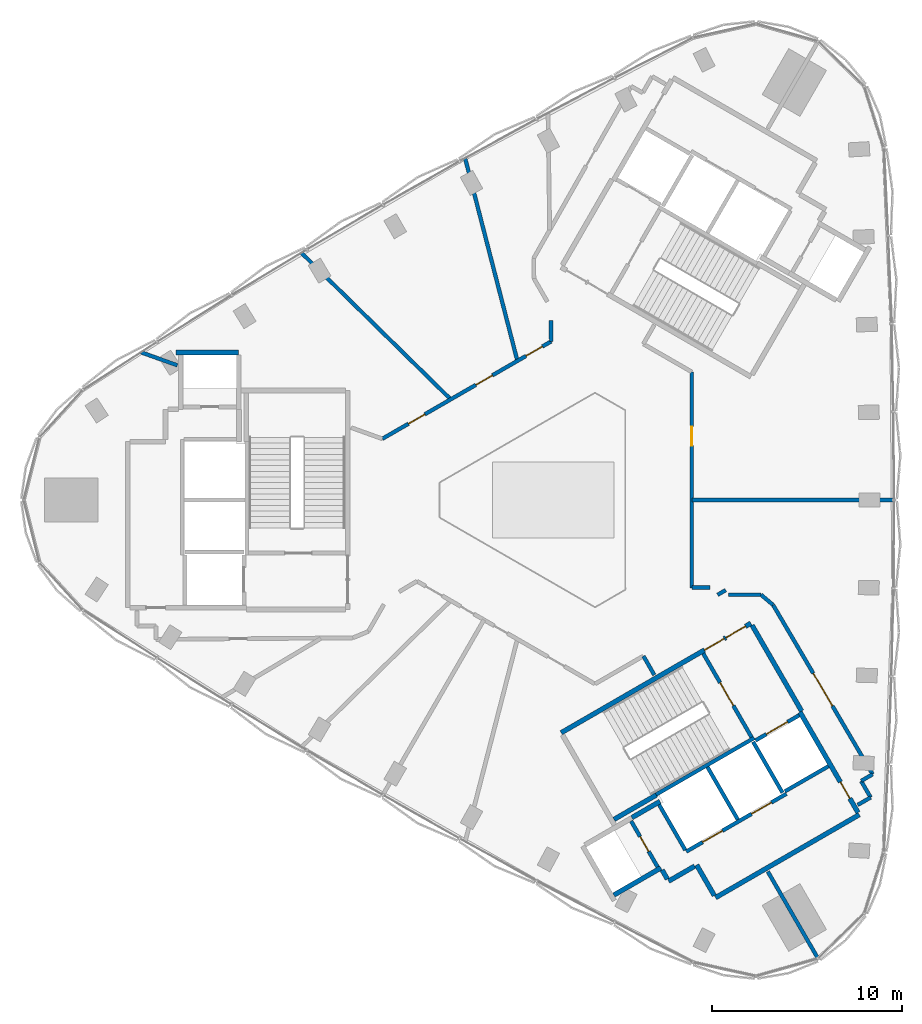
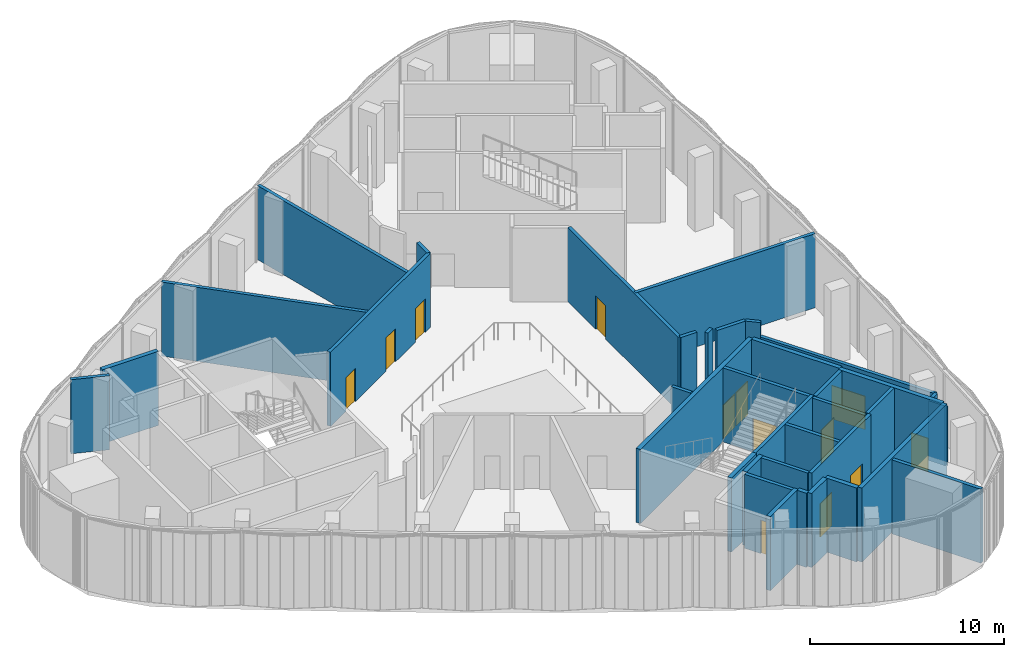
# One storey, part 8 of 15: 37 walls, 13 doors, 13 openings.
"""IFC4 building model written with IfcOpenShell, lengths in metres."""

from ifc_helpers import new_model, si_unit, direction, frame, frame_2d, origin, place, context, subcontext, project, spatial, rectangle, extrude, material, layer, layer_set, type_object, element, fill, save


model = new_model("IFC4")

# Units and contexts
model_context = context("Model", 3, precision=1e-05, world=origin(), true_north=direction((0.0, 1.0)))
body_context = subcontext(model_context, "Body", "Model", "MODEL_VIEW")
ifc_project = project(units=[si_unit("LENGTHUNIT", "METRE"), si_unit("AREAUNIT", "SQUARE_METRE"), si_unit("VOLUMEUNIT", "CUBIC_METRE"), si_unit("PLANEANGLEUNIT", "RADIAN"), si_unit("MASSUNIT", "GRAM", prefix="KILO")], contexts=[model_context])

# Site, building, storey
site_placement = place(None, origin())
site = spatial("IfcSite", under=ifc_project, at=site_placement, CompositionType="ELEMENT")
building_placement = place(site_placement, origin())
building = spatial("IfcBuilding", under=site, at=building_placement, Name="Tamra Quay Hotel Tower", CompositionType="ELEMENT")
storey_placement = place(building_placement, frame((0.0, 0.0, 216.39990234375)))
storey = spatial("IfcBuildingStorey", under=building, at=storey_placement, Name="L54", CompositionType="ELEMENT", Elevation=216.39990234375)

# Wall
ifc_material_1 = material(Name="Concrete M70", Category="concrete")
ifc_layer_1 = layer(ifc_material_1, 0.199951171875)
ifc_layer_set_1 = layer_set([ifc_layer_1], Name="Concrete M70 core wall 200")
wall_type_1 = type_object("IfcWallType", Name="Concrete M70 core wall 200", PredefinedType="SHEAR", material=ifc_layer_set_1)
wall_1_placement = place(storey_placement, frame((5.4189453125, -15.533935546875, 0.0), z_axis=(0.0, 0.0, 1.0), x_axis=(0.866029065029, 0.499993658486, 0.0)))
element("IfcWall", 1, at=wall_1_placement, inside=storey, type_object=wall_type_1, Name="CW2", PredefinedType="SHEAR", context=body_context, shape_type="SweptSolid", body=[
    extrude(rectangle(XDim=5.97412109375, YDim=0.199951171875, at=frame_2d((2.987060546875, 0.0))), origin(), (0.0, 0.0, 1.0), 4.650146484375),
])

# Wall, openings, doors
wall_2_placement = place(storey_placement, frame((7.009765625, -18.54150390625, 0.0), z_axis=(0.0, 0.0, 1.0), x_axis=(0.866030299012, 0.499991521122, 0.0)))
wall_2 = element("IfcWall", 2, at=wall_2_placement, inside=storey, type_object=wall_type_1, Name="CW2", PredefinedType="SHEAR", context=body_context, shape_type="SweptSolid", body=[
    extrude(rectangle(XDim=6.10009765625, YDim=0.199951171875, at=frame_2d((3.050048828125, 0.0))), origin(), (0.0, 0.0, 1.0), 4.650146484375),
])
opening_1_placement = place(wall_2_placement, frame((1.0, 0.0, 0.0)))
opening_1 = element("IfcOpeningElement", 3, at=opening_1_placement, cuts=wall_2, Name="Opening LD", PredefinedType="OPENING", context=body_context, shape_type="SweptSolid", body=[
    extrude(rectangle(XDim=1.199951171875, YDim=2.10009765625, at=frame_2d((0.60009765625, 1.050048828125))), frame((0.0, 0.10986328125, 0.0), z_axis=(0.0, -1.0, 0.0), x_axis=(1.0, 0.0, 0.0)), (0.0, 0.0, 1.0), 0.219970703125),
])
opening_2_placement = place(wall_2_placement, frame((3.982177734375, 0.0, 0.0)))
opening_2 = element("IfcOpeningElement", 4, at=opening_2_placement, cuts=wall_2, Name="Opening LD", PredefinedType="OPENING", context=body_context, shape_type="SweptSolid", body=[
    extrude(rectangle(XDim=1.199951171875, YDim=2.10009765625, at=frame_2d((0.60009765625, 1.050048828125))), frame((0.0, 0.10986328125, 0.0), z_axis=(0.0, -1.0, 0.0), x_axis=(1.0, 0.0, 0.0)), (0.0, 0.0, 1.0), 0.219970703125),
])
ifc_material_2 = material(Name="Landing door LD 1200 double door sliding")
door_type_1 = type_object("IfcDoorType", Name="Landing door LD 1200 double door sliding", OperationType="DOUBLE_DOOR_SLIDING", PredefinedType="DOOR", material=ifc_material_2)
door_1_placement = place(opening_1_placement, origin())
door_1 = element("IfcDoor", 5, at=door_1_placement, inside=storey, type_object=door_type_1, Name="LD", OperationType="DOUBLE_DOOR_SLIDING", OverallHeight=2.10009765625, OverallWidth=1.199951171875, PredefinedType="DOOR", context=body_context, shape_type="SweptSolid", body=[
    extrude(rectangle(XDim=1.199951171875, YDim=2.10009765625, at=frame_2d((0.60009765625, 1.050048828125))), frame((0.0, 0.02490234375, 0.0), z_axis=(0.0, -1.0, 0.0), x_axis=(1.0, 0.0, 0.0)), (0.0, 0.0, 1.0), 0.050048828125),
])
fill(opening_1, door_1)
door_2_placement = place(opening_2_placement, origin())
door_2 = element("IfcDoor", 6, at=door_2_placement, inside=storey, type_object=door_type_1, Name="LD", OperationType="DOUBLE_DOOR_SLIDING", OverallHeight=2.10009765625, OverallWidth=1.199951171875, PredefinedType="DOOR", context=body_context, shape_type="SweptSolid", body=[
    extrude(rectangle(XDim=1.199951171875, YDim=2.10009765625, at=frame_2d((0.60009765625, 1.050048828125))), frame((0.0, 0.02490234375, 0.0), z_axis=(0.0, -1.0, 0.0), x_axis=(1.0, 0.0, 0.0)), (0.0, 0.0, 1.0), 0.050048828125),
])
fill(opening_2, door_2)

# Wall, opening, door
wall_3_placement = place(storey_placement, frame((7.906494140625, -8.094482421875, 0.0), z_axis=(0.0, 0.0, 1.0), x_axis=(0.500027839223, -0.866009330205, 0.0)))
wall_3 = element("IfcWall", 7, at=wall_3_placement, inside=storey, type_object=wall_type_1, Name="CW2", PredefinedType="SHEAR", context=body_context, shape_type="SweptSolid", body=[
    extrude(rectangle(XDim=5.097900390625, YDim=0.199951171875, at=frame_2d((2.548828125, 0.0))), origin(), (0.0, 0.0, 1.0), 4.650146484375),
])
opening_3_placement = place(wall_3_placement, frame((1.77392578125, 0.0, 0.0)))
opening_3 = element("IfcOpeningElement", 8, at=opening_3_placement, cuts=wall_3, Name="Opening FD2", PredefinedType="OPENING", context=body_context, shape_type="SweptSolid", body=[
    extrude(rectangle(XDim=1.39990234375, YDim=2.10009765625, at=frame_2d((0.699951171875, 1.050048828125))), frame((0.0, 0.10986328125, 0.0), z_axis=(0.0, -1.0, 0.0), x_axis=(1.0, 0.0, 0.0)), (0.0, 0.0, 1.0), 0.219970703125),
])
ifc_material_3 = material(Name="Core door FD2 1400x2100 LH")
door_type_2 = type_object("IfcDoorType", Name="Core door FD2 1400x2100 LH", OperationType="NOTDEFINED", PredefinedType="DOOR", material=ifc_material_3)
door_3_placement = place(opening_3_placement, origin())
door_3 = element("IfcDoor", 9, at=door_3_placement, inside=storey, type_object=door_type_2, Name="FD2", OperationType="SINGLE_SWING_LEFT", OverallHeight=2.10009765625, OverallWidth=1.39990234375, PredefinedType="DOOR", context=body_context, shape_type="SweptSolid", body=[
    extrude(rectangle(XDim=1.39990234375, YDim=2.10009765625, at=frame_2d((0.699951171875, 1.050048828125))), frame((0.0, 0.02490234375, 0.0), z_axis=(0.0, -1.0, 0.0), x_axis=(1.0, 0.0, 0.0)), (0.0, 0.0, 1.0), 0.050048828125),
])
fill(opening_3, door_3)

# Wall
wall_4_placement = place(storey_placement, frame((8.131591796875, -14.084228515625, 0.0), z_axis=(0.0, 0.0, 1.0), x_axis=(0.499997778408, -0.866026686418, 0.0)))
element("IfcWall", 10, at=wall_4_placement, inside=storey, type_object=wall_type_1, Name="CW2", PredefinedType="SHEAR", context=body_context, shape_type="SweptSolid", body=[
    extrude(rectangle(XDim=3.1982421875, YDim=0.199951171875, at=frame_2d((1.59912109375, 0.0))), origin(), (0.0, 0.0, 1.0), 4.650146484375),
])

# Wall, opening, door
wall_5_placement = place(storey_placement, frame((5.50341796875, -19.352294921875, 0.0), z_axis=(0.0, 0.0, 1.0), x_axis=(-0.499986818241, 0.866033014143, 0.0)))
wall_5 = element("IfcWall", 11, at=wall_5_placement, inside=storey, type_object=wall_type_1, Name="CW2", PredefinedType="SHEAR", context=body_context, shape_type="SweptSolid", body=[
    extrude(rectangle(XDim=2.7978515625, YDim=0.199951171875, at=frame_2d((1.39892578125, 0.0))), origin(), (0.0, 0.0, 1.0), 4.650146484375),
])
opening_4_placement = place(wall_5_placement, frame((0.948974609375, 0.0, 0.0)))
opening_4 = element("IfcOpeningElement", 12, at=opening_4_placement, cuts=wall_5, Name="Opening D1", PredefinedType="OPENING", context=body_context, shape_type="SweptSolid", body=[
    extrude(rectangle(XDim=0.89990234375, YDim=2.10009765625, at=frame_2d((0.449951171875, 1.050048828125))), frame((0.0, 0.10986328125, 0.0), z_axis=(0.0, -1.0, 0.0), x_axis=(1.0, 0.0, 0.0)), (0.0, 0.0, 1.0), 0.219970703125),
])
ifc_material_4 = material(Name="Core door D1 900x2100 RH")
door_type_3 = type_object("IfcDoorType", Name="Core door D1 900x2100 RH", OperationType="NOTDEFINED", PredefinedType="DOOR", material=ifc_material_4)
door_4_placement = place(opening_4_placement, origin())
door_4 = element("IfcDoor", 13, at=door_4_placement, inside=storey, type_object=door_type_3, Name="D1", OperationType="SINGLE_SWING_RIGHT", OverallHeight=2.10009765625, OverallWidth=0.89990234375, PredefinedType="DOOR", context=body_context, shape_type="SweptSolid", body=[
    extrude(rectangle(XDim=0.89990234375, YDim=2.10009765625, at=frame_2d((0.449951171875, 1.050048828125))), frame((0.0, 0.02490234375, 0.0), z_axis=(0.0, -1.0, 0.0), x_axis=(1.0, 0.0, 0.0)), (0.0, 0.0, 1.0), 0.050048828125),
])
fill(opening_4, door_4)

# Walls
wall_6_placement = place(storey_placement, frame((6.959716796875, -18.455078125, 0.0), z_axis=(0.0, 0.0, 1.0), x_axis=(-0.499926705758, 0.866067716099, 0.0)))
element("IfcWall", 14, at=wall_6_placement, inside=storey, type_object=wall_type_1, Name="CW2", PredefinedType="SHEAR", context=body_context, shape_type="SweptSolid", body=[
    extrude(rectangle(XDim=2.75927734375, YDim=0.199951171875, at=frame_2d((1.379638671875, 0.0))), origin(), (0.0, 0.0, 1.0), 4.650146484375),
])
wall_7_placement = place(storey_placement, frame((12.087646484375, -15.4365234375, 0.0), z_axis=(0.0, 0.0, 1.0), x_axis=(-0.500026960575, 0.86600983753, 0.0)))
element("IfcWall", 15, at=wall_7_placement, inside=storey, type_object=wall_type_1, Name="CW2", PredefinedType="SHEAR", context=body_context, shape_type="SweptSolid", body=[
    extrude(rectangle(XDim=3.099853515625, YDim=0.199951171875, at=frame_2d((1.5498046875, 0.0))), origin(), (0.0, 0.0, 1.0), 4.650146484375),
])

# Wall, opening, door
wall_8_placement = place(storey_placement, frame((10.666015625, -12.677734375, 0.0), z_axis=(0.0, 0.0, 1.0), x_axis=(0.866018407898, 0.500012117035, 0.0)))
wall_8 = element("IfcWall", 16, at=wall_8_placement, inside=storey, type_object=wall_type_1, Name="CW2", PredefinedType="SHEAR", context=body_context, shape_type="SweptSolid", body=[
    extrude(rectangle(XDim=2.65087890625, YDim=0.199951171875, at=frame_2d((1.325439453125, 0.0))), origin(), (0.0, 0.0, 1.0), 4.650146484375),
])
opening_5_placement = place(wall_8_placement, frame((0.65185546875, 0.0, 0.0)))
opening_5 = element("IfcOpeningElement", 17, at=opening_5_placement, cuts=wall_8, Name="Opening LD", PredefinedType="OPENING", context=body_context, shape_type="SweptSolid", body=[
    extrude(rectangle(XDim=1.300048828125, YDim=2.10009765625, at=frame_2d((0.64990234375, 1.050048828125))), frame((0.0, 0.10986328125, 0.0), z_axis=(0.0, -1.0, 0.0), x_axis=(1.0, 0.0, 0.0)), (0.0, 0.0, 1.0), 0.219970703125),
])
ifc_material_5 = material(Name="Landing door LD 1300 sliding to left")
door_type_4 = type_object("IfcDoorType", Name="Landing door LD 1300 sliding to left", OperationType="NOTDEFINED", PredefinedType="DOOR", material=ifc_material_5)
door_5_placement = place(opening_5_placement, origin())
door_5 = element("IfcDoor", 18, at=door_5_placement, inside=storey, type_object=door_type_4, Name="LD", OperationType="SLIDING_TO_LEFT", OverallHeight=2.10009765625, OverallWidth=1.300048828125, PredefinedType="DOOR", context=body_context, shape_type="SweptSolid", body=[
    extrude(rectangle(XDim=1.300048828125, YDim=2.10009765625, at=frame_2d((0.64990234375, 1.050048828125))), frame((0.0, 0.02490234375, 0.0), z_axis=(0.0, -1.0, 0.0), x_axis=(1.0, 0.0, 0.0)), (0.0, 0.0, 1.0), 0.050048828125),
])
fill(opening_5, door_5)

# Walls
wall_9_placement = place(storey_placement, frame((14.51171875, -14.037109375, 0.0), z_axis=(0.0, 0.0, 1.0), x_axis=(-0.866018407898, -0.500012117035, 0.0)))
element("IfcWall", 19, at=wall_9_placement, inside=storey, type_object=wall_type_1, Name="CW2", PredefinedType="SHEAR", context=body_context, shape_type="SweptSolid", body=[
    extrude(rectangle(XDim=2.65087890625, YDim=0.199951171875, at=frame_2d((1.325439453125, 0.0))), origin(), (0.0, 0.0, 1.0), 4.650146484375),
])
ifc_layer_2 = layer(ifc_material_1, 0.25)
ifc_layer_set_2 = layer_set([ifc_layer_2], Name="Concrete M70 core wall 250")
wall_type_2 = type_object("IfcWallType", Name="Concrete M70 core wall 250", PredefinedType="SHEAR", material=ifc_layer_set_2)
wall_10_placement = place(storey_placement, frame((-19.900390625, 7.77490234375, 0.0), z_axis=(0.0, 0.0, 1.0), x_axis=(1.0, 0.0, 0.0)))
element("IfcWall", 20, at=wall_10_placement, inside=storey, type_object=wall_type_2, Name="CW1", PredefinedType="SHEAR", context=body_context, shape_type="SweptSolid", body=[
    extrude(rectangle(XDim=3.31298828125, YDim=0.25, at=frame_2d((1.656494140625, 0.0))), origin(), (0.0, 0.0, 1.0), 4.650146484375),
])

# Wall, openings, doors
wall_11_placement = place(storey_placement, frame((0.417236328125, -12.27294921875, 0.0), z_axis=(0.0, 0.0, 1.0), x_axis=(0.866021906294, 0.500006057782, 0.0)))
wall_11 = element("IfcWall", 21, at=wall_11_placement, inside=storey, type_object=wall_type_2, Name="CW1", PredefinedType="SHEAR", context=body_context, shape_type="SweptSolid", body=[
    extrude(rectangle(XDim=11.550048828125, YDim=0.25, at=frame_2d((5.77490234375, 0.0))), origin(), (0.0, 0.0, 1.0), 4.650146484375),
])
opening_6_placement = place(wall_11_placement, frame((10.024658203125, 0.0, 0.0)))
opening_6 = element("IfcOpeningElement", 22, at=opening_6_placement, cuts=wall_11, Name="Opening FD1", PredefinedType="OPENING", context=body_context, shape_type="SweptSolid", body=[
    extrude(rectangle(XDim=1.199951171875, YDim=2.10009765625, at=frame_2d((0.60009765625, 1.050048828125))), frame((0.0, 0.135009765625, 0.0), z_axis=(0.0, -1.0, 0.0), x_axis=(1.0, 0.0, 0.0)), (0.0, 0.0, 1.0), 0.27001953125),
])
opening_7_placement = place(wall_11_placement, frame((8.724609375, 0.0, 0.0)))
opening_7 = element("IfcOpeningElement", 23, at=opening_7_placement, cuts=wall_11, Name="Opening FD1", PredefinedType="OPENING", context=body_context, shape_type="SweptSolid", body=[
    extrude(rectangle(XDim=1.199951171875, YDim=2.10009765625, at=frame_2d((0.60009765625, 1.050048828125))), frame((0.0, 0.135009765625, 0.0), z_axis=(0.0, -1.0, 0.0), x_axis=(1.0, 0.0, 0.0)), (0.0, 0.0, 1.0), 0.27001953125),
])
ifc_material_6 = material(Name="Core door FD1 1200x2100 LH")
door_type_5 = type_object("IfcDoorType", Name="Core door FD1 1200x2100 LH", OperationType="NOTDEFINED", PredefinedType="DOOR", material=ifc_material_6)
door_6_placement = place(opening_6_placement, origin())
door_6 = element("IfcDoor", 24, at=door_6_placement, inside=storey, type_object=door_type_5, Name="FD1", OperationType="SINGLE_SWING_LEFT", OverallHeight=2.10009765625, OverallWidth=1.199951171875, PredefinedType="DOOR", context=body_context, shape_type="SweptSolid", body=[
    extrude(rectangle(XDim=1.199951171875, YDim=2.10009765625, at=frame_2d((0.60009765625, 1.050048828125))), frame((0.0, 0.02490234375, 0.0), z_axis=(0.0, -1.0, 0.0), x_axis=(1.0, 0.0, 0.0)), (0.0, 0.0, 1.0), 0.050048828125),
])
fill(opening_6, door_6)
ifc_material_7 = material(Name="Core door FD1 1200x2100 RH")
door_type_6 = type_object("IfcDoorType", Name="Core door FD1 1200x2100 RH", OperationType="NOTDEFINED", PredefinedType="DOOR", material=ifc_material_7)
door_7_placement = place(opening_7_placement, origin())
door_7 = element("IfcDoor", 25, at=door_7_placement, inside=storey, type_object=door_type_6, Name="FD1", OperationType="SINGLE_SWING_RIGHT", OverallHeight=2.10009765625, OverallWidth=1.199951171875, PredefinedType="DOOR", context=body_context, shape_type="SweptSolid", body=[
    extrude(rectangle(XDim=1.199951171875, YDim=2.10009765625, at=frame_2d((0.60009765625, 1.050048828125))), frame((0.0, 0.02490234375, 0.0), z_axis=(0.0, -1.0, 0.0), x_axis=(1.0, 0.0, 0.0)), (0.0, 0.0, 1.0), 0.050048828125),
])
fill(opening_7, door_7)

# Wall
wall_12_placement = place(storey_placement, frame((16.13330078125, -16.59375, 0.0), z_axis=(0.0, 0.0, 1.0), x_axis=(-0.866022959057, -0.500004234368, 0.0)))
element("IfcWall", 26, at=wall_12_placement, inside=storey, type_object=wall_type_2, Name="CW1", PredefinedType="SHEAR", context=body_context, shape_type="SweptSolid", body=[
    extrude(rectangle(XDim=8.75, YDim=0.25, at=frame_2d((4.375, 0.0))), origin(), (0.0, 0.0, 1.0), 4.650146484375),
])

# Wall, opening, door
wall_13_placement = place(storey_placement, frame((13.00830078125, -11.18115234375, 0.0), z_axis=(0.0, 0.0, 1.0), x_axis=(0.500001955336, -0.866024274868, 0.0)))
wall_13 = element("IfcWall", 27, at=wall_13_placement, inside=storey, type_object=wall_type_2, Name="CW1", PredefinedType="SHEAR", context=body_context, shape_type="SweptSolid", body=[
    extrude(rectangle(XDim=6.12451171875, YDim=0.25, at=frame_2d((3.062255859375, 0.0))), origin(), (0.0, 0.0, 1.0), 4.650146484375),
])
opening_8_placement = place(wall_13_placement, frame((4.2626953125, 0.0, 0.0)))
opening_8 = element("IfcOpeningElement", 28, at=opening_8_placement, cuts=wall_13, Name="Opening FD3", PredefinedType="OPENING", context=body_context, shape_type="SweptSolid", body=[
    extrude(rectangle(XDim=1.0, YDim=2.10009765625, at=frame_2d((0.5, 1.050048828125))), frame((0.0, 0.135009765625, 0.0), z_axis=(0.0, -1.0, 0.0), x_axis=(1.0, 0.0, 0.0)), (0.0, 0.0, 1.0), 0.27001953125),
])
ifc_material_8 = material(Name="Core door FD3 1000x2100 LH")
door_type_7 = type_object("IfcDoorType", Name="Core door FD3 1000x2100 LH", OperationType="NOTDEFINED", PredefinedType="DOOR", material=ifc_material_8)
door_8_placement = place(opening_8_placement, origin())
door_8 = element("IfcDoor", 29, at=door_8_placement, inside=storey, type_object=door_type_7, Name="FD3", OperationType="SINGLE_SWING_LEFT", OverallHeight=2.10009765625, OverallWidth=1.0, PredefinedType="DOOR", context=body_context, shape_type="SweptSolid", body=[
    extrude(rectangle(XDim=1.0, YDim=2.10009765625, at=frame_2d((0.5, 1.050048828125))), frame((0.0, 0.02490234375, 0.0), z_axis=(0.0, -1.0, 0.0), x_axis=(1.0, 0.0, 0.0)), (0.0, 0.0, 1.0), 0.050048828125),
])
fill(opening_8, door_8)

# Walls
wall_14_placement = place(storey_placement, frame((10.482666015625, -6.6064453125, 0.0), z_axis=(0.0, 0.0, 1.0), x_axis=(0.49999885962, -0.866026062182, 0.0)))
element("IfcWall", 30, at=wall_14_placement, inside=storey, type_object=wall_type_2, Name="CW1", PredefinedType="SHEAR", context=body_context, shape_type="SweptSolid", body=[
    extrude(rectangle(XDim=5.224609375, YDim=0.25, at=frame_2d((2.6123046875, 0.0))), origin(), (0.0, 0.0, 1.0), 4.650146484375),
])
wall_15_placement = place(storey_placement, frame((5.6748046875, -19.39892578125, 0.0), z_axis=(0.0, 0.0, 1.0), x_axis=(-0.866026637627, -0.499997862916, 0.0)))
element("IfcWall", 31, at=wall_15_placement, inside=storey, type_object=wall_type_2, Name="CW1", PredefinedType="SHEAR", context=body_context, shape_type="SweptSolid", body=[
    extrude(rectangle(XDim=2.86474609375, YDim=0.25, at=frame_2d((1.432373046875, 0.0))), origin(), (0.0, 0.0, 1.0), 4.650146484375),
])
wall_16_placement = place(storey_placement, frame((5.4306640625, -15.55615234375, 0.0), z_axis=(0.0, 0.0, 1.0), x_axis=(-0.866022940537, -0.500004266446, 0.0)))
element("IfcWall", 32, at=wall_16_placement, inside=storey, type_object=wall_type_2, Name="CW1", PredefinedType="SHEAR", context=body_context, shape_type="SweptSolid", body=[
    extrude(rectangle(XDim=2.57470703125, YDim=0.25, at=frame_2d((1.287353515625, 0.0))), origin(), (0.0, 0.0, 1.0), 4.650146484375),
])
wall_17_placement = place(storey_placement, frame((8.492919921875, -20.860107421875, 0.0), z_axis=(0.0, 0.0, 1.0), x_axis=(-0.500039802285, 0.866002422705, 0.0)))
element("IfcWall", 33, at=wall_17_placement, inside=storey, type_object=wall_type_2, Name="CW1", PredefinedType="SHEAR", context=body_context, shape_type="SweptSolid", body=[
    extrude(rectangle(XDim=1.864501953125, YDim=0.25, at=frame_2d((0.93212890625, 0.0))), origin(), (0.0, 0.0, 1.0), 4.650146484375),
])
wall_18_placement = place(storey_placement, frame((4.144775390625, -16.748779296875, 0.0), z_axis=(0.0, 0.0, 1.0), x_axis=(0.866038183914, 0.499977863513, 0.0)))
element("IfcWall", 34, at=wall_18_placement, inside=storey, type_object=wall_type_2, Name="CW1", PredefinedType="SHEAR", context=body_context, shape_type="SweptSolid", body=[
    extrude(rectangle(XDim=1.7099609375, YDim=0.25, at=frame_2d((0.85498046875, 0.0))), origin(), (0.0, 0.0, 1.0), 4.650146484375),
])
wall_19_placement = place(storey_placement, frame((7.451904296875, -19.30810546875, 0.0), z_axis=(0.0, 0.0, 1.0), x_axis=(-0.866044474677, -0.49996696679, 0.0)))
element("IfcWall", 35, at=wall_19_placement, inside=storey, type_object=wall_type_2, Name="CW1", PredefinedType="SHEAR", context=body_context, shape_type="SweptSolid", body=[
    extrude(rectangle(XDim=1.58447265625, YDim=0.25, at=frame_2d((0.792236328125, 0.0))), origin(), (0.0, 0.0, 1.0), 4.650146484375),
])
wall_20_placement = place(storey_placement, frame((6.01708984375, -19.99169921875, 0.0), z_axis=(0.0, 0.0, 1.0), x_axis=(-0.500364886717, 0.865814633822, 0.0)))
element("IfcWall", 36, at=wall_20_placement, inside=storey, type_object=wall_type_2, Name="CW1", PredefinedType="SHEAR", context=body_context, shape_type="SweptSolid", body=[
    extrude(rectangle(XDim=0.55908203125, YDim=0.25, at=frame_2d((0.279541015625, 0.0))), origin(), (0.0, 0.0, 1.0), 4.650146484375),
])

# Wall, openings, doors
ifc_material_9 = material(Name="Partition corridor wall")
ifc_layer_3 = layer(ifc_material_9, 0.199951171875)
ifc_layer_set_3 = layer_set([ifc_layer_3], Name="Partition corridor wall")
wall_type_3 = type_object("IfcWallType", Name="Partition corridor wall", PredefinedType="PARTITIONING", material=ifc_layer_set_3)
wall_21_placement = place(storey_placement, frame((-9.01220703125, 3.227783203125, 0.0), z_axis=(0.0, 0.0, 1.0), x_axis=(0.866203386391, 0.499691598294, 0.0)))
wall_21 = element("IfcWall", 37, at=wall_21_placement, inside=storey, type_object=wall_type_3, Name="W-C", PredefinedType="PARTITIONING", context=body_context, shape_type="SweptSolid", body=[
    extrude(rectangle(XDim=10.27490234375, YDim=0.199951171875, at=frame_2d((5.137451171875, 0.0))), origin(), (0.0, 0.0, 1.0), 4.650146484375),
])
opening_9_placement = place(wall_21_placement, frame((8.7421875, 0.0, 0.0)))
opening_9 = element("IfcOpeningElement", 38, at=opening_9_placement, cuts=wall_21, Name="Opening L54-D003", PredefinedType="OPENING", context=body_context, shape_type="SweptSolid", body=[
    extrude(rectangle(XDim=1.0, YDim=2.10009765625, at=frame_2d((0.5, 1.050048828125))), frame((0.0, 0.10986328125, 0.0), z_axis=(0.0, -1.0, 0.0), x_axis=(1.0, 0.0, 0.0)), (0.0, 0.0, 1.0), 0.219970703125),
])
opening_10_placement = place(wall_21_placement, frame((5.689697265625, 0.0, 0.0)))
opening_10 = element("IfcOpeningElement", 39, at=opening_10_placement, cuts=wall_21, Name="Opening L54-D004", PredefinedType="OPENING", context=body_context, shape_type="SweptSolid", body=[
    extrude(rectangle(XDim=1.0, YDim=2.10009765625, at=frame_2d((0.5, 1.050048828125))), frame((0.0, 0.10986328125, 0.0), z_axis=(0.0, -1.0, 0.0), x_axis=(1.0, 0.0, 0.0)), (0.0, 0.0, 1.0), 0.219970703125),
])
opening_11_placement = place(wall_21_placement, frame((1.585205078125, 0.0, 0.0)))
opening_11 = element("IfcOpeningElement", 40, at=opening_11_placement, cuts=wall_21, Name="Opening L54-D005", PredefinedType="OPENING", context=body_context, shape_type="SweptSolid", body=[
    extrude(rectangle(XDim=1.0, YDim=2.10009765625, at=frame_2d((0.5, 1.050048828125))), frame((0.0, 0.10986328125, 0.0), z_axis=(0.0, -1.0, 0.0), x_axis=(1.0, 0.0, 0.0)), (0.0, 0.0, 1.0), 0.219970703125),
])
ifc_material_10 = material(Name="Door guest room 1000x2100")
door_type_8 = type_object("IfcDoorType", Name="Door guest room 1000x2100", OperationType="NOTDEFINED", PredefinedType="DOOR", material=ifc_material_10)
door_9_placement = place(opening_9_placement, origin())
door_9 = element("IfcDoor", 41, at=door_9_placement, inside=storey, type_object=door_type_8, Name="L54-D003", OperationType="SINGLE_SWING_LEFT", OverallHeight=2.10009765625, OverallWidth=1.0, PredefinedType="DOOR", context=body_context, shape_type="SweptSolid", body=[
    extrude(rectangle(XDim=1.0, YDim=2.10009765625, at=frame_2d((0.5, 1.050048828125))), frame((0.0, 0.02490234375, 0.0), z_axis=(0.0, -1.0, 0.0), x_axis=(1.0, 0.0, 0.0)), (0.0, 0.0, 1.0), 0.050048828125),
])
fill(opening_9, door_9)
door_10_placement = place(opening_10_placement, origin())
door_10 = element("IfcDoor", 42, at=door_10_placement, inside=storey, type_object=door_type_8, Name="L54-D004", OperationType="SINGLE_SWING_LEFT", OverallHeight=2.10009765625, OverallWidth=1.0, PredefinedType="DOOR", context=body_context, shape_type="SweptSolid", body=[
    extrude(rectangle(XDim=1.0, YDim=2.10009765625, at=frame_2d((0.5, 1.050048828125))), frame((0.0, 0.02490234375, 0.0), z_axis=(0.0, -1.0, 0.0), x_axis=(1.0, 0.0, 0.0)), (0.0, 0.0, 1.0), 0.050048828125),
])
fill(opening_10, door_10)
door_11_placement = place(opening_11_placement, origin())
door_11 = element("IfcDoor", 43, at=door_11_placement, inside=storey, type_object=door_type_8, Name="L54-D005", OperationType="SINGLE_SWING_LEFT", OverallHeight=2.10009765625, OverallWidth=1.0, PredefinedType="DOOR", context=body_context, shape_type="SweptSolid", body=[
    extrude(rectangle(XDim=1.0, YDim=2.10009765625, at=frame_2d((0.5, 1.050048828125))), frame((0.0, 0.02490234375, 0.0), z_axis=(0.0, -1.0, 0.0), x_axis=(1.0, 0.0, 0.0)), (0.0, 0.0, 1.0), 0.050048828125),
])
fill(opening_11, door_11)

# Walls
wall_22_placement = place(storey_placement, frame((-0.1259765625, 9.45703125, 0.0), z_axis=(0.0, 0.0, 1.0), x_axis=(0.013672785902, -0.999906523094, 0.0)))
element("IfcWall", 44, at=wall_22_placement, inside=storey, type_object=wall_type_3, Name="W-C", PredefinedType="PARTITIONING", context=body_context, shape_type="SweptSolid", body=[
    extrude(rectangle(XDim=1.089111328125, YDim=0.199951171875, at=frame_2d((0.54443359375, 0.0))), origin(), (0.0, 0.0, 1.0), 4.650146484375),
])
wall_23_placement = place(storey_placement, frame((4.7548828125, -8.22998046875, 0.0), z_axis=(0.0, 0.0, 1.0), x_axis=(0.498954759956, -0.866628032963, 0.0)))
element("IfcWall", 45, at=wall_23_placement, inside=storey, type_object=wall_type_3, Name="W-C", PredefinedType="PARTITIONING", context=body_context, shape_type="SweptSolid", body=[
    extrude(rectangle(XDim=1.1474609375, YDim=0.199951171875, at=frame_2d((0.57373046875, 0.0))), origin(), (0.0, 0.0, 1.0), 4.650146484375),
])

# Wall, opening, door
wall_24_placement = place(storey_placement, frame((7.300048828125, -4.631103515625, 0.0), z_axis=(0.0, 0.0, 1.0), x_axis=(0.0, 1.0, 0.0)))
wall_24 = element("IfcWall", 46, at=wall_24_placement, inside=storey, type_object=wall_type_3, Name="W-C", PredefinedType="PARTITIONING", context=body_context, shape_type="SweptSolid", body=[
    extrude(rectangle(XDim=11.385986328125, YDim=0.199951171875, at=frame_2d((5.69287109375, 0.0))), origin(), (0.0, 0.0, 1.0), 4.650146484375),
])
opening_12_placement = place(wall_24_placement, frame((7.50244140625, 0.0, 0.0)))
opening_12 = element("IfcOpeningElement", 47, at=opening_12_placement, cuts=wall_24, Name="Opening L54-D001", PredefinedType="OPENING", context=body_context, shape_type="SweptSolid", body=[
    extrude(rectangle(XDim=1.0, YDim=2.10009765625, at=frame_2d((0.5, 1.050048828125))), frame((0.0, 0.10986328125, 0.0), z_axis=(0.0, -1.0, 0.0), x_axis=(1.0, 0.0, 0.0)), (0.0, 0.0, 1.0), 0.219970703125),
])
door_12_placement = place(opening_12_placement, frame((1.0, 0.0, 0.0), z_axis=(0.0, 0.0, 1.0), x_axis=(-1.0, 0.0, 0.0)))
door_12 = element("IfcDoor", 48, at=door_12_placement, inside=storey, type_object=door_type_8, Name="L54-D001", OperationType="SINGLE_SWING_LEFT", OverallHeight=2.10009765625, OverallWidth=1.0, PredefinedType="DOOR", context=body_context, shape_type="SweptSolid", body=[
    extrude(rectangle(XDim=1.0, YDim=2.10009765625, at=frame_2d((0.5, 1.050048828125))), frame((0.0, 0.02490234375, 0.0), z_axis=(0.0, -1.0, 0.0), x_axis=(1.0, 0.0, 0.0)), (0.0, 0.0, 1.0), 0.050048828125),
])
fill(opening_12, door_12)

# Walls
wall_25_placement = place(storey_placement, frame((7.31005859375, -4.62109375, 0.0), z_axis=(0.0, 0.0, 1.0), x_axis=(1.0, 0.0, 0.0)))
element("IfcWall", 49, at=wall_25_placement, inside=storey, type_object=wall_type_3, Name="W-C", PredefinedType="PARTITIONING", context=body_context, shape_type="SweptSolid", body=[
    extrude(rectangle(XDim=0.9580078125, YDim=0.199951171875, at=frame_2d((0.47900390625, 0.0))), origin(), (0.0, 0.0, 1.0), 4.650146484375),
])
wall_26_placement = place(storey_placement, frame((8.6640625, -5.0, 0.0), z_axis=(0.0, 0.0, 1.0), x_axis=(0.865684789836, 0.500589497139, 0.0)))
element("IfcWall", 50, at=wall_26_placement, inside=storey, type_object=wall_type_3, Name="W-C", PredefinedType="PARTITIONING", context=body_context, shape_type="SweptSolid", body=[
    extrude(rectangle(XDim=0.49560546875, YDim=0.199951171875, at=frame_2d((0.247802734375, 0.0))), origin(), (0.0, 0.0, 1.0), 4.650146484375),
])
wall_27_placement = place(storey_placement, frame((9.239013671875, -5.0, 0.0), z_axis=(0.0, 0.0, 1.0), x_axis=(1.0, 0.0, 0.0)))
element("IfcWall", 51, at=wall_27_placement, inside=storey, type_object=wall_type_3, Name="W-C", PredefinedType="PARTITIONING", context=body_context, shape_type="SweptSolid", body=[
    extrude(rectangle(XDim=1.719970703125, YDim=0.199951171875, at=frame_2d((0.85986328125, 0.0))), origin(), (0.0, 0.0, 1.0), 4.650146484375),
])
wall_28_placement = place(storey_placement, frame((10.958984375, -5.0, 0.0), z_axis=(0.0, 0.0, 1.0), x_axis=(0.762495818899, -0.646993142283, 0.0)))
element("IfcWall", 52, at=wall_28_placement, inside=storey, type_object=wall_type_3, Name="W-C", PredefinedType="PARTITIONING", context=body_context, shape_type="SweptSolid", body=[
    extrude(rectangle(XDim=0.822265625, YDim=0.199951171875, at=frame_2d((0.4111328125, 0.0))), origin(), (0.0, 0.0, 1.0), 4.650146484375),
])

# Wall, opening, door
wall_29_placement = place(storey_placement, frame((11.592041015625, -5.5380859375, 0.0), z_axis=(0.0, 0.0, 1.0), x_axis=(0.506701587767, -0.86212151171, 0.0)))
wall_29 = element("IfcWall", 53, at=wall_29_placement, inside=storey, type_object=wall_type_3, Name="W-C", PredefinedType="PARTITIONING", context=body_context, shape_type="SweptSolid", body=[
    extrude(rectangle(XDim=10.35107421875, YDim=0.199951171875, at=frame_2d((5.175537109375, 0.0))), origin(), (0.0, 0.0, 1.0), 3.75),
])
opening_13_placement = place(wall_29_placement, frame((4.175537109375, 0.0, 0.0)))
opening_13 = element("IfcOpeningElement", 54, at=opening_13_placement, cuts=wall_29, Name="Opening L54-D011", PredefinedType="OPENING", context=body_context, shape_type="SweptSolid", body=[
    extrude(rectangle(XDim=2.0, YDim=2.10009765625, at=frame_2d((1.0, 1.050048828125))), frame((0.0, 0.10986328125, 0.0), z_axis=(0.0, -1.0, 0.0), x_axis=(1.0, 0.0, 0.0)), (0.0, 0.0, 1.0), 0.219970703125),
])
ifc_material_11 = material(Name="Door double leaf 2000x2100")
door_type_9 = type_object("IfcDoorType", Name="Door double leaf 2000x2100", OperationType="DOUBLE_DOOR_SINGLE_SWING", PredefinedType="DOOR", material=ifc_material_11)
door_13_placement = place(opening_13_placement, origin())
door_13 = element("IfcDoor", 55, at=door_13_placement, inside=storey, type_object=door_type_9, Name="L54-D011", OperationType="DOUBLE_DOOR_SINGLE_SWING", OverallHeight=2.10009765625, OverallWidth=2.0, PredefinedType="DOOR", context=body_context, shape_type="SweptSolid", body=[
    extrude(rectangle(XDim=2.0, YDim=2.10009765625, at=frame_2d((1.0, 1.050048828125))), frame((0.0, 0.02490234375, 0.0), z_axis=(0.0, -1.0, 0.0), x_axis=(1.0, 0.0, 0.0)), (0.0, 0.0, 1.0), 0.050048828125),
])
fill(opening_13, door_13)

# Walls
wall_30_placement = place(storey_placement, frame((16.050048828125, -16.07958984375, 0.0), z_axis=(0.0, 0.0, 1.0), x_axis=(0.866325177067, 0.499480417614, 0.0)))
element("IfcWall", 56, at=wall_30_placement, inside=storey, type_object=wall_type_3, Name="W-C", PredefinedType="PARTITIONING", context=body_context, shape_type="SweptSolid", body=[
    extrude(rectangle(XDim=0.785888671875, YDim=0.199951171875, at=frame_2d((0.39306640625, 0.0))), origin(), (0.0, 0.0, 1.0), 3.75),
])
wall_31_placement = place(storey_placement, frame((16.235107421875, -14.821044921875, 0.0), z_axis=(0.0, 0.0, 1.0), x_axis=(0.500804343594, -0.86556051749, 0.0)))
element("IfcWall", 57, at=wall_31_placement, inside=storey, type_object=wall_type_3, Name="W-C", PredefinedType="PARTITIONING", context=body_context, shape_type="SweptSolid", body=[
    extrude(rectangle(XDim=0.995849609375, YDim=0.199951171875, at=frame_2d((0.498046875, 0.0))), origin(), (0.0, 0.0, 1.0), 3.75),
])
wall_32_placement = place(storey_placement, frame((16.241943359375, -14.81103515625, 0.0), z_axis=(0.0, 0.0, 1.0), x_axis=(0.864024330605, 0.503450053255, 0.0)))
element("IfcWall", 58, at=wall_32_placement, inside=storey, type_object=wall_type_3, Name="W-C", PredefinedType="PARTITIONING", context=body_context, shape_type="SweptSolid", body=[
    extrude(rectangle(XDim=0.685302734375, YDim=0.199951171875, at=frame_2d((0.3427734375, 0.0))), origin(), (0.0, 0.0, 1.0), 3.75),
])
ifc_material_12 = material(Name="Partition party wall")
ifc_layer_4 = layer(ifc_material_12, 0.199951171875)
ifc_layer_set_4 = layer_set([ifc_layer_4], Name="Partition party wall")
wall_type_4 = type_object("IfcWallType", Name="Partition party wall", PredefinedType="PARTITIONING", material=ifc_layer_set_4)
wall_33_placement = place(storey_placement, frame((-21.729736328125, 7.78466796875, 0.0), z_axis=(0.0, 0.0, 1.0), x_axis=(0.941449854418, -0.337153038866, 0.0)))
element("IfcWall", 59, at=wall_33_placement, inside=storey, type_object=wall_type_4, Name="W-P", PredefinedType="PARTITIONING", context=body_context, shape_type="SweptSolid", body=[
    extrude(rectangle(XDim=2.026123046875, YDim=0.199951171875, at=frame_2d((1.01318359375, 0.0))), origin(), (0.0, 0.0, 1.0), 4.650146484375),
])
wall_34_placement = place(storey_placement, frame((-13.27734375, 13.030029296875, 0.0), z_axis=(0.0, 0.0, 1.0), x_axis=(0.713763428774, -0.700386870054, 0.0)))
element("IfcWall", 60, at=wall_34_placement, inside=storey, type_object=wall_type_4, Name="W-P", PredefinedType="PARTITIONING", context=body_context, shape_type="SweptSolid", body=[
    extrude(rectangle(XDim=11.02392578125, YDim=0.199951171875, at=frame_2d((5.511962890625, 0.0))), origin(), (0.0, 0.0, 1.0), 4.650146484375),
])
wall_35_placement = place(storey_placement, frame((-4.646484375, 18.012939453125, 0.0), z_axis=(0.0, 0.0, 1.0), x_axis=(0.249782901113, -0.968301865283, 0.0)))
element("IfcWall", 61, at=wall_35_placement, inside=storey, type_object=wall_type_4, Name="W-P", PredefinedType="PARTITIONING", context=body_context, shape_type="SweptSolid", body=[
    extrude(rectangle(XDim=11.023193359375, YDim=0.199951171875, at=frame_2d((5.51171875, 0.0))), origin(), (0.0, 0.0, 1.0), 4.650146484375),
])
wall_36_placement = place(storey_placement, frame((7.302001953125, 0.0, 0.0), z_axis=(0.0, 0.0, 1.0), x_axis=(1.0, 0.0, 0.0)))
element("IfcWall", 62, at=wall_36_placement, inside=storey, type_object=wall_type_4, Name="W-P", PredefinedType="PARTITIONING", context=body_context, shape_type="SweptSolid", body=[
    extrude(rectangle(XDim=10.662353515625, YDim=0.199951171875, at=frame_2d((5.3310546875, 0.0))), origin(), (0.0, 0.0, 1.0), 4.650146484375),
])
wall_37_placement = place(storey_placement, frame((11.310791015625, -19.591552734375, 0.0), z_axis=(0.0, 0.0, 1.0), x_axis=(0.500132351176, -0.865948977311, 0.0)))
element("IfcWall", 63, at=wall_37_placement, inside=storey, type_object=wall_type_4, Name="W-P", PredefinedType="PARTITIONING", context=body_context, shape_type="SweptSolid", body=[
    extrude(rectangle(XDim=5.29296875, YDim=0.199951171875, at=frame_2d((2.646484375, 0.0))), origin(), (0.0, 0.0, 1.0), 4.650146484375),
])

save(model, "model.ifc")
